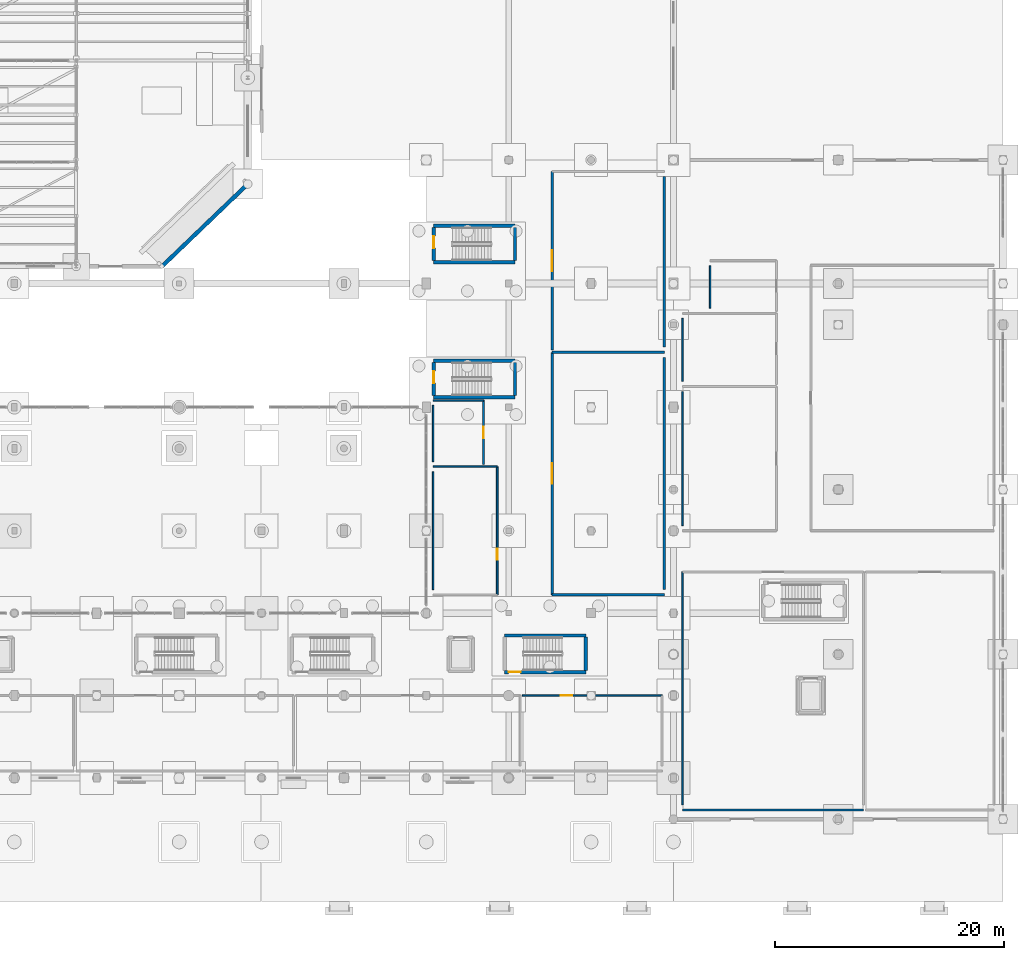
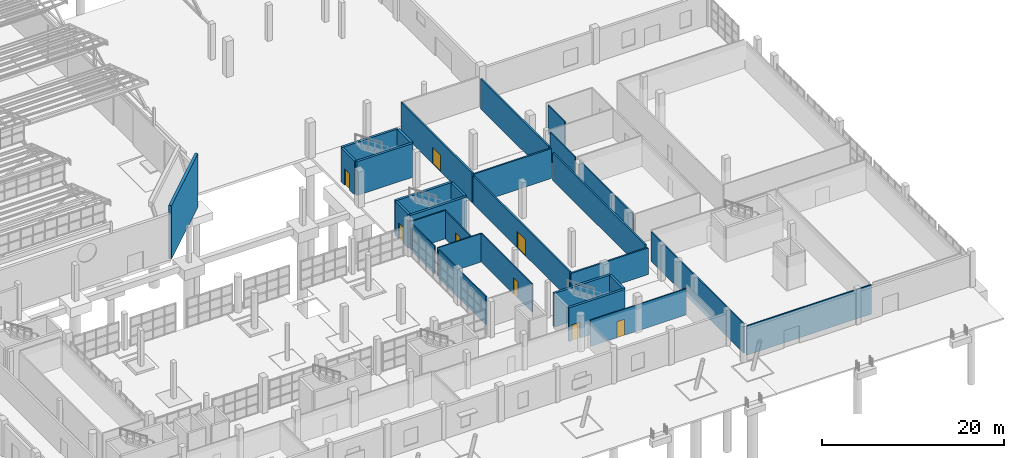
# One storey, part 257 of 285: 30 walls, 8 doors, 8 openings.
"""IFC4 building model written with IfcOpenShell, lengths in metres."""

from ifc_helpers import new_model, si_unit, direction, frame, frame_2d, origin, place, context, subcontext, project, spatial, rectangle, extrude, material, layer, layer_set, type_object, element, fill, save


model = new_model("IFC4")

# Units and contexts
model_context = context("Model", 3, precision=1e-05, world=origin(), true_north=direction((0.0, 1.0)))
body_context = subcontext(model_context, "Body", "Model", "MODEL_VIEW")
ifc_project = project(units=[si_unit("LENGTHUNIT", "METRE"), si_unit("AREAUNIT", "SQUARE_METRE"), si_unit("VOLUMEUNIT", "CUBIC_METRE"), si_unit("PLANEANGLEUNIT", "RADIAN"), si_unit("MASSUNIT", "GRAM", prefix="KILO")], contexts=[model_context])

# Site, building, storey
site_placement = place(None, origin())
site = spatial("IfcSite", under=ifc_project, at=site_placement, CompositionType="ELEMENT")
building_placement = place(site_placement, origin())
building = spatial("IfcBuilding", under=site, at=building_placement, Name="Solanera Park Tramway Depot", CompositionType="ELEMENT")
storey_placement = place(building_placement, origin())
storey = spatial("IfcBuildingStorey", under=building, at=storey_placement, Name="L00", CompositionType="ELEMENT", Elevation=0.0)

# Wall, opening, door
ifc_material_1 = material(Name="Concrete N32 (C32/40)", Category="concrete")
ifc_layer_1 = layer(ifc_material_1, 0.125)
ifc_layer_set_1 = layer_set([ifc_layer_1], Name="Concrete N32 (C32/40)")
wall_type_1 = type_object("IfcWallType", Name="Acoustic Partition 125", PredefinedType="PARTITIONING", material=ifc_layer_set_1)
wall_1_placement = place(storey_placement, frame((174.0, 18.0, 0.0), z_axis=(0.0, 0.0, 1.0), x_axis=(1.0, 0.0, 0.0)))
wall_1 = element("IfcWall", 1, at=wall_1_placement, inside=storey, type_object=wall_type_1, Name="Occupational Health and First Aid Suite Corridor Wall", PredefinedType="PARTITIONING", context=body_context, shape_type="SweptSolid", body=[
    extrude(rectangle(XDim=12.199951171875, YDim=0.125, at=frame_2d((6.10009765625, 0.0))), origin(), (0.0, 0.0, 1.0), 3.507080078125),
])
opening_1_placement = place(wall_1_placement, frame((3.368896484375, 0.0, 0.0)))
opening_1 = element("IfcOpeningElement", 2, at=opening_1_placement, cuts=wall_1, Name="Opening ID-O1R", PredefinedType="OPENING", context=body_context, shape_type="SweptSolid", body=[
    extrude(rectangle(XDim=0.969970703125, YDim=2.14990234375, at=frame_2d((0.48486328125, 1.074951171875))), frame((0.0, 0.072509765625, 0.0), z_axis=(0.0, -1.0, 0.0), x_axis=(1.0, 0.0, 0.0)), (0.0, 0.0, 1.0), 0.14501953125),
])
ifc_material_2 = material(Name="Fire-rated steel or solid-core hardwood door leaf", Category="steel")
door_type_1 = type_object("IfcDoorType", Name="Office Single Door R 970x2150", OperationType="SINGLE_SWING_RIGHT", PredefinedType="DOOR", material=ifc_material_2)
door_1_placement = place(opening_1_placement, origin())
door_1 = element("IfcDoor", 3, at=door_1_placement, inside=storey, type_object=door_type_1, Name="Occupational Health and First Aid Suite Door", OperationType="SINGLE_SWING_RIGHT", OverallHeight=2.14990234375, OverallWidth=0.969970703125, PredefinedType="DOOR", context=body_context, shape_type="SweptSolid", body=[
    extrude(rectangle(XDim=0.969970703125, YDim=2.14990234375, at=frame_2d((0.48486328125, 1.074951171875))), frame((0.0, 0.02490234375, 0.0), z_axis=(0.0, -1.0, 0.0), x_axis=(1.0, 0.0, 0.0)), (0.0, 0.0, 1.0), 0.050048828125),
])
fill(opening_1, door_1)

# Walls
ifc_material_3 = material(Name="Concrete N32 (C32/40)", Category="concrete")
ifc_layer_2 = layer(ifc_material_3, 0.14990234375)
ifc_layer_set_2 = layer_set([ifc_layer_2], Name="Concrete N32 (C32/40)")
wall_type_2 = type_object("IfcWallType", Name="Acoustic Partition 150", PredefinedType="PARTITIONING", material=ifc_layer_set_2)
wall_2_placement = place(storey_placement, frame((203.800048828125, 8.0, 0.0), z_axis=(0.0, 0.0, 1.0), x_axis=(-1.0, 0.0, 0.0)))
element("IfcWall", 4, at=wall_2_placement, inside=storey, type_object=wall_type_2, Name="Civic Parkland Reception and Ticketing Foyer Dividing Wall", PredefinedType="PARTITIONING", context=body_context, shape_type="SweptSolid", body=[
    extrude(rectangle(XDim=15.800048828125, YDim=0.14990234375, at=frame_2d((7.89990234375, 0.0))), origin(), (0.0, 0.0, 1.0), 3.92041015625),
])
wall_3_placement = place(storey_placement, frame((188.0, 28.800048828125, 0.0), z_axis=(0.0, 0.0, 1.0), x_axis=(0.0, -1.0, 0.0)))
element("IfcWall", 5, at=wall_3_placement, inside=storey, type_object=wall_type_2, Name="Civic Parkland Reception and Ticketing Foyer Dividing Wall", PredefinedType="PARTITIONING", context=body_context, shape_type="SweptSolid", body=[
    extrude(rectangle(XDim=20.35009765625, YDim=0.14990234375, at=frame_2d((10.175048828125, 0.0))), origin(), (0.0, 0.0, 1.0), 3.92041015625),
])
wall_4_placement = place(storey_placement, frame((188.0, 44.550048828125, 0.0), z_axis=(0.0, 0.0, 1.0), x_axis=(0.0, -1.0, 0.0)))
element("IfcWall", 6, at=wall_4_placement, inside=storey, type_object=wall_type_2, Name="Commercial Catering Kitchen and Scullery Dividing Wall", PredefinedType="PARTITIONING", context=body_context, shape_type="SweptSolid", body=[
    extrude(rectangle(XDim=11.699951171875, YDim=0.14990234375, at=frame_2d((5.85009765625, 0.0))), origin(), (0.0, 0.0, 1.0), 3.92041015625),
])

# Wall, opening, door
ifc_material_4 = material(Name="Concrete N40 (C40/50)", Category="concrete")
ifc_layer_3 = layer(ifc_material_4, 0.300048828125)
ifc_layer_set_3 = layer_set([ifc_layer_3], Name="Concrete N40 (C40/50)")
wall_type_3 = type_object("IfcWallType", Name="Core Shear Wall 300", PredefinedType="SHEAR", material=ifc_layer_set_3)
wall_5_placement = place(storey_placement, frame((172.449951171875, 20.050048828125, 0.0), z_axis=(0.0, 0.0, 1.0), x_axis=(1.0, 0.0, 0.0)))
wall_5 = element("IfcWall", 7, at=wall_5_placement, inside=storey, type_object=wall_type_3, Name="ST-04 L00 Shear Core Wall S", PredefinedType="SHEAR", context=body_context, shape_type="SweptSolid", body=[
    extrude(rectangle(XDim=7.10009765625, YDim=0.300048828125, at=frame_2d((3.550048828125, 0.0))), origin(), (0.0, 0.0, 1.0), 4.52490234375),
])
opening_2_placement = place(wall_5_placement, frame((0.35009765625, 0.0, 0.0)))
opening_2 = element("IfcOpeningElement", 8, at=opening_2_placement, cuts=wall_5, Name="Opening FD-S1L", PredefinedType="OPENING", context=body_context, shape_type="SweptSolid", body=[
    extrude(rectangle(XDim=1.050048828125, YDim=2.14990234375, at=frame_2d((0.52490234375, 1.074951171875))), frame((0.0, 0.16015625, 0.0), z_axis=(0.0, -1.0, 0.0), x_axis=(1.0, 0.0, 0.0)), (0.0, 0.0, 1.0), 0.320068359375),
])
ifc_material_5 = material(Name="Fire-rated steel or solid-core hardwood door leaf", Category="steel")
door_type_2 = type_object("IfcDoorType", Name="Stair Fire Door L 1050x2150", OperationType="SINGLE_SWING_LEFT", PredefinedType="DOOR", material=ifc_material_5)
door_2_placement = place(opening_2_placement, frame((1.050048828125, 0.0, 0.0), z_axis=(0.0, 0.0, 1.0), x_axis=(-1.0, 0.0, 0.0)))
door_2 = element("IfcDoor", 9, at=door_2_placement, inside=storey, type_object=door_type_2, Name="ST-04 L00 Stair Fire Door", OperationType="SINGLE_SWING_LEFT", OverallHeight=2.14990234375, OverallWidth=1.050048828125, PredefinedType="DOOR", context=body_context, shape_type="SweptSolid", body=[
    extrude(rectangle(XDim=1.050048828125, YDim=2.14990234375, at=frame_2d((0.52490234375, 1.074951171875))), frame((0.0, 0.02490234375, 0.0), z_axis=(0.0, -1.0, 0.0), x_axis=(1.0, 0.0, 0.0)), (0.0, 0.0, 1.0), 0.050048828125),
])
fill(opening_2, door_2)

# Walls
wall_6_placement = place(storey_placement, frame((179.550048828125, 23.25, 0.0), z_axis=(0.0, 0.0, 1.0), x_axis=(-1.0, 0.0, 0.0)))
element("IfcWall", 10, at=wall_6_placement, inside=storey, type_object=wall_type_3, Name="ST-04 L00 Shear Core Wall N", PredefinedType="SHEAR", context=body_context, shape_type="SweptSolid", body=[
    extrude(rectangle(XDim=7.10009765625, YDim=0.300048828125, at=frame_2d((3.550048828125, 0.0))), origin(), (0.0, 0.0, 1.0), 4.52490234375),
])
wall_7_placement = place(storey_placement, frame((179.550048828125, 20.199951171875, 0.0), z_axis=(0.0, 0.0, 1.0), x_axis=(0.0, 1.0, 0.0)))
element("IfcWall", 11, at=wall_7_placement, inside=storey, type_object=wall_type_3, Name="ST-04 L00 Shear Core Wall E", PredefinedType="SHEAR", context=body_context, shape_type="SweptSolid", body=[
    extrude(rectangle(XDim=2.900146484375, YDim=0.300048828125, at=frame_2d((1.4501953125, 0.0))), origin(), (0.0, 0.0, 1.0), 4.52490234375),
])
for number, where, z_axis, x_axis, name in (
    (12, (166.25, 44.050048828125, 0.0), (0.0, 0.0, 1.0), (1.0, 0.0, 0.0), "ST-05 L00 Shear Core Wall S"),
    (13, (173.35009765625, 47.25, 0.0), (0.0, 0.0, 1.0), (-1.0, 0.0, 0.0), "ST-05 L00 Shear Core Wall N"),
):
    element("IfcWall", number, at=place(storey_placement, frame(where, z_axis=z_axis, x_axis=x_axis)), inside=storey, type_object=wall_type_3, Name=name, PredefinedType="SHEAR", context=body_context, shape_type="SweptSolid", body=[
        extrude(rectangle(XDim=7.10009765625, YDim=0.300048828125, at=frame_2d((3.550048828125, 0.0))), origin(), (0.0, 0.0, 1.0), 4.52490234375),
    ])
wall_8_placement = place(storey_placement, frame((173.35009765625, 44.199951171875, 0.0), z_axis=(0.0, 0.0, 1.0), x_axis=(0.0, 1.0, 0.0)))
element("IfcWall", 14, at=wall_8_placement, inside=storey, type_object=wall_type_3, Name="ST-05 L00 Shear Core Wall E", PredefinedType="SHEAR", context=body_context, shape_type="SweptSolid", body=[
    extrude(rectangle(XDim=2.900146484375, YDim=0.300048828125, at=frame_2d((1.4501953125, 0.0))), origin(), (0.0, 0.0, 1.0), 4.52490234375),
])

# Wall, opening, door
wall_9_placement = place(storey_placement, frame((166.25, 47.10009765625, 0.0), z_axis=(0.0, 0.0, 1.0), x_axis=(0.0, -1.0, 0.0)))
wall_9 = element("IfcWall", 15, at=wall_9_placement, inside=storey, type_object=wall_type_3, Name="ST-05 L00 Shear Core Wall W", PredefinedType="SHEAR", context=body_context, shape_type="SweptSolid", body=[
    extrude(rectangle(XDim=2.900146484375, YDim=0.300048828125, at=frame_2d((1.4501953125, 0.0))), origin(), (0.0, 0.0, 1.0), 4.52490234375),
])
opening_3_placement = place(wall_9_placement, frame((0.75, 0.0, 0.0)))
opening_3 = element("IfcOpeningElement", 16, at=opening_3_placement, cuts=wall_9, Name="Opening FD-S1L", PredefinedType="OPENING", context=body_context, shape_type="SweptSolid", body=[
    extrude(rectangle(XDim=1.050048828125, YDim=2.14990234375, at=frame_2d((0.52490234375, 1.074951171875))), frame((0.0, 0.16015625, 0.0), z_axis=(0.0, -1.0, 0.0), x_axis=(1.0, 0.0, 0.0)), (0.0, 0.0, 1.0), 0.320068359375),
])
door_3_placement = place(opening_3_placement, frame((1.050048828125, 0.0, 0.0), z_axis=(0.0, 0.0, 1.0), x_axis=(-1.0, 0.0, 0.0)))
door_3 = element("IfcDoor", 17, at=door_3_placement, inside=storey, type_object=door_type_2, Name="ST-05 L00 Stair Fire Door", OperationType="SINGLE_SWING_LEFT", OverallHeight=2.14990234375, OverallWidth=1.050048828125, PredefinedType="DOOR", context=body_context, shape_type="SweptSolid", body=[
    extrude(rectangle(XDim=1.050048828125, YDim=2.14990234375, at=frame_2d((0.52490234375, 1.074951171875))), frame((0.0, 0.02490234375, 0.0), z_axis=(0.0, -1.0, 0.0), x_axis=(1.0, 0.0, 0.0)), (0.0, 0.0, 1.0), 0.050048828125),
])
fill(opening_3, door_3)

# Walls
for number, where, z_axis, x_axis, name in (
    (18, (166.25, 55.85009765625, 0.0), (0.0, 0.0, 1.0), (1.0, 0.0, 0.0), "ST-06 L00 Shear Core Wall S"),
    (19, (173.35009765625, 59.050048828125, 0.0), (0.0, 0.0, 1.0), (-1.0, 0.0, 0.0), "ST-06 L00 Shear Core Wall N"),
):
    element("IfcWall", number, at=place(storey_placement, frame(where, z_axis=z_axis, x_axis=x_axis)), inside=storey, type_object=wall_type_3, Name=name, PredefinedType="SHEAR", context=body_context, shape_type="SweptSolid", body=[
        extrude(rectangle(XDim=7.10009765625, YDim=0.300048828125, at=frame_2d((3.550048828125, 0.0))), origin(), (0.0, 0.0, 1.0), 4.52490234375),
    ])
wall_10_placement = place(storey_placement, frame((173.35009765625, 56.0, 0.0), z_axis=(0.0, 0.0, 1.0), x_axis=(0.0, 1.0, 0.0)))
element("IfcWall", 20, at=wall_10_placement, inside=storey, type_object=wall_type_3, Name="ST-06 L00 Shear Core Wall E", PredefinedType="SHEAR", context=body_context, shape_type="SweptSolid", body=[
    extrude(rectangle(XDim=2.89990234375, YDim=0.300048828125, at=frame_2d((1.449951171875, 0.0))), origin(), (0.0, 0.0, 1.0), 4.52490234375),
])

# Wall, opening, door
wall_11_placement = place(storey_placement, frame((166.25, 58.89990234375, 0.0), z_axis=(0.0, 0.0, 1.0), x_axis=(0.0, -1.0, 0.0)))
wall_11 = element("IfcWall", 21, at=wall_11_placement, inside=storey, type_object=wall_type_3, Name="ST-06 L00 Shear Core Wall W", PredefinedType="SHEAR", context=body_context, shape_type="SweptSolid", body=[
    extrude(rectangle(XDim=2.89990234375, YDim=0.300048828125, at=frame_2d((1.449951171875, 0.0))), origin(), (0.0, 0.0, 1.0), 4.52490234375),
])
opening_4_placement = place(wall_11_placement, frame((0.75, 0.0, 0.0)))
opening_4 = element("IfcOpeningElement", 22, at=opening_4_placement, cuts=wall_11, Name="Opening FD-S1L", PredefinedType="OPENING", context=body_context, shape_type="SweptSolid", body=[
    extrude(rectangle(XDim=1.050048828125, YDim=2.14990234375, at=frame_2d((0.52490234375, 1.074951171875))), frame((0.0, 0.16015625, 0.0), z_axis=(0.0, -1.0, 0.0), x_axis=(1.0, 0.0, 0.0)), (0.0, 0.0, 1.0), 0.320068359375),
])
door_4_placement = place(opening_4_placement, frame((1.050048828125, 0.0, 0.0), z_axis=(0.0, 0.0, 1.0), x_axis=(-1.0, 0.0, 0.0)))
door_4 = element("IfcDoor", 23, at=door_4_placement, inside=storey, type_object=door_type_2, Name="ST-06 L00 Stair Fire Door", OperationType="SINGLE_SWING_LEFT", OverallHeight=2.14990234375, OverallWidth=1.050048828125, PredefinedType="DOOR", context=body_context, shape_type="SweptSolid", body=[
    extrude(rectangle(XDim=1.050048828125, YDim=2.14990234375, at=frame_2d((0.52490234375, 1.074951171875))), frame((0.0, 0.02490234375, 0.0), z_axis=(0.0, -1.0, 0.0), x_axis=(1.0, 0.0, 0.0)), (0.0, 0.0, 1.0), 0.050048828125),
])
fill(opening_4, door_4)

# Walls
ifc_material_6 = material(Name="Concrete N32 (C32/40)", Category="concrete")
ifc_layer_4 = layer(ifc_material_6, 0.35009765625)
ifc_layer_set_4 = layer_set([ifc_layer_4], Name="Concrete N32 (C32/40)")
wall_type_4 = type_object("IfcWallType", Name="Ext Stucco Wall 350", PredefinedType="SOLIDWALL", material=ifc_layer_set_4)
wall_12_placement = place(storey_placement, frame((142.5, 55.5, 0.0), z_axis=(0.0, 0.0, 1.0), x_axis=(0.721389667345, 0.692529384104, 0.0)))
element("IfcWall", 24, at=wall_12_placement, inside=storey, type_object=wall_type_4, Name="L00 V1 Perimeter Wall V1-CSE", PredefinedType="SOLIDWALL", context=body_context, shape_type="SweptSolid", body=[
    extrude(rectangle(XDim=10.396484375, YDim=0.35009765625, at=frame_2d((5.1982421875, 0.0))), origin(), (0.0, 0.0, 1.0), 7.14990234375),
])
ifc_material_7 = material(Name="Concrete N32 (C32/40)", Category="concrete")
ifc_layer_5 = layer(ifc_material_7, 0.199951171875)
ifc_layer_set_5 = layer_set([ifc_layer_5], Name="Concrete N32 (C32/40)")
wall_type_5 = type_object("IfcWallType", Name="Fire Compartment Wall 200", PredefinedType="SOLIDWALL", material=ifc_layer_set_5)
wall_13_placement = place(storey_placement, frame((176.60009765625, 48.0, 0.0), z_axis=(0.0, 0.0, 1.0), x_axis=(1.0, 0.0, 0.0)))
element("IfcWall", 25, at=wall_13_placement, inside=storey, type_object=wall_type_5, Name="Chilled Water and Fire Pump Plant Room Dividing Wall", PredefinedType="SOLIDWALL", context=body_context, shape_type="SweptSolid", body=[
    extrude(rectangle(XDim=9.7998046875, YDim=0.199951171875, at=frame_2d((4.89990234375, 0.0))), origin(), (0.0, 0.0, 1.0), 4.0),
])
wall_14_placement = place(storey_placement, frame((186.39990234375, 26.800048828125, 0.0), z_axis=(0.0, 0.0, 1.0), x_axis=(-1.0, 0.0, 0.0)))
element("IfcWall", 26, at=wall_14_placement, inside=storey, type_object=wall_type_5, Name="Chilled Water and Fire Pump Plant Room Dividing Wall", PredefinedType="SOLIDWALL", context=body_context, shape_type="SweptSolid", body=[
    extrude(rectangle(XDim=9.7998046875, YDim=0.199951171875, at=frame_2d((4.89990234375, 0.0))), origin(), (0.0, 0.0, 1.0), 3.556884765625),
])
wall_15_placement = place(storey_placement, frame((186.39990234375, 27.25, 0.0), z_axis=(0.0, 0.0, 1.0), x_axis=(0.0, 1.0, 0.0)))
element("IfcWall", 27, at=wall_15_placement, inside=storey, type_object=wall_type_5, Name="Chilled Water and Fire Pump Plant Room Dividing Wall", PredefinedType="SOLIDWALL", context=body_context, shape_type="SweptSolid", body=[
    extrude(rectangle(XDim=20.300048828125, YDim=0.199951171875, at=frame_2d((10.14990234375, 0.0))), origin(), (0.0, 0.0, 1.0), 3.656982421875),
])

# Wall, opening, door
wall_16_placement = place(storey_placement, frame((176.60009765625, 48.0, 0.0), z_axis=(0.0, 0.0, 1.0), x_axis=(0.0, -1.0, 0.0)))
wall_16 = element("IfcWall", 28, at=wall_16_placement, inside=storey, type_object=wall_type_5, Name="Chilled Water and Fire Pump Plant Room Corridor Wall", PredefinedType="SOLIDWALL", context=body_context, shape_type="SweptSolid", body=[
    extrude(rectangle(XDim=21.199951171875, YDim=0.199951171875, at=frame_2d((10.60009765625, 0.0))), origin(), (0.0, 0.0, 1.0), 3.757080078125),
])
opening_5_placement = place(wall_16_placement, frame((9.699951171875, 0.0, 0.0)))
opening_5 = element("IfcOpeningElement", 29, at=opening_5_placement, cuts=wall_16, Name="Opening FD-P2D", PredefinedType="OPENING", context=body_context, shape_type="SweptSolid", body=[
    extrude(rectangle(XDim=1.800048828125, YDim=2.199951171875, at=frame_2d((0.89990234375, 1.10009765625))), frame((0.0, 0.10986328125, 0.0), z_axis=(0.0, -1.0, 0.0), x_axis=(1.0, 0.0, 0.0)), (0.0, 0.0, 1.0), 0.219970703125),
])
ifc_material_8 = material(Name="Fire-rated steel or solid-core hardwood door leaf", Category="steel")
door_type_3 = type_object("IfcDoorType", Name="Plant Double Fire Door 1800x2200", OperationType="DOUBLE_SWING_LEFT", PredefinedType="DOOR", material=ifc_material_8)
door_5_placement = place(opening_5_placement, origin())
door_5 = element("IfcDoor", 30, at=door_5_placement, inside=storey, type_object=door_type_3, Name="Chilled Water and Fire Pump Plant Room Door", OperationType="DOUBLE_SWING_LEFT", OverallHeight=2.199951171875, OverallWidth=1.800048828125, PredefinedType="DOOR", context=body_context, shape_type="SweptSolid", body=[
    extrude(rectangle(XDim=1.800048828125, YDim=2.199951171875, at=frame_2d((0.89990234375, 1.10009765625))), frame((0.0, 0.02490234375, 0.0), z_axis=(0.0, -1.0, 0.0), x_axis=(1.0, 0.0, 0.0)), (0.0, 0.0, 1.0), 0.050048828125),
])
fill(opening_5, door_5)

# Wall
wall_17_placement = place(storey_placement, frame((186.39990234375, 48.449951171875, 0.0), z_axis=(0.0, 0.0, 1.0), x_axis=(0.0, 1.0, 0.0)))
element("IfcWall", 31, at=wall_17_placement, inside=storey, type_object=wall_type_5, Name="Communications UPS and Main MDF Room Dividing Wall", PredefinedType="SOLIDWALL", context=body_context, shape_type="SweptSolid", body=[
    extrude(rectangle(XDim=14.900146484375, YDim=0.199951171875, at=frame_2d((7.4501953125, 0.0))), origin(), (0.0, 0.0, 1.0), 4.0),
])

# Wall, opening, door
wall_18_placement = place(storey_placement, frame((176.60009765625, 63.800048828125, 0.0), z_axis=(0.0, 0.0, 1.0), x_axis=(0.0, -1.0, 0.0)))
wall_18 = element("IfcWall", 32, at=wall_18_placement, inside=storey, type_object=wall_type_5, Name="Communications UPS and Main MDF Room Corridor Wall", PredefinedType="SOLIDWALL", context=body_context, shape_type="SweptSolid", body=[
    extrude(rectangle(XDim=15.60009765625, YDim=0.199951171875, at=frame_2d((7.800048828125, 0.0))), origin(), (0.0, 0.0, 1.0), 4.0),
])
opening_6_placement = place(wall_18_placement, frame((6.89990234375, 0.0, 0.0)))
opening_6 = element("IfcOpeningElement", 33, at=opening_6_placement, cuts=wall_18, Name="Opening FD-P2D", PredefinedType="OPENING", context=body_context, shape_type="SweptSolid", body=[
    extrude(rectangle(XDim=1.800048828125, YDim=2.199951171875, at=frame_2d((0.89990234375, 1.10009765625))), frame((0.0, 0.10986328125, 0.0), z_axis=(0.0, -1.0, 0.0), x_axis=(1.0, 0.0, 0.0)), (0.0, 0.0, 1.0), 0.219970703125),
])
door_6_placement = place(opening_6_placement, origin())
door_6 = element("IfcDoor", 34, at=door_6_placement, inside=storey, type_object=door_type_3, Name="Communications UPS and Main MDF Room Door", OperationType="DOUBLE_SWING_LEFT", OverallHeight=2.199951171875, OverallWidth=1.800048828125, PredefinedType="DOOR", context=body_context, shape_type="SweptSolid", body=[
    extrude(rectangle(XDim=1.800048828125, YDim=2.199951171875, at=frame_2d((0.89990234375, 1.10009765625))), frame((0.0, 0.02490234375, 0.0), z_axis=(0.0, -1.0, 0.0), x_axis=(1.0, 0.0, 0.0)), (0.0, 0.0, 1.0), 0.050048828125),
])
fill(opening_6, door_6)

# Walls
ifc_material_9 = material(Name="Concrete N32 (C32/40)", Category="concrete")
ifc_layer_6 = layer(ifc_material_9, 0.139892578125)
ifc_layer_set_6 = layer_set([ifc_layer_6], Name="Concrete N32 (C32/40)")
wall_type_6 = type_object("IfcWallType", Name="Wet Area Partition 140", PredefinedType="PARTITIONING", material=ifc_layer_set_6)
wall_19_placement = place(storey_placement, frame((166.199951171875, 38.0, 0.0), z_axis=(0.0, 0.0, 1.0), x_axis=(1.0, 0.0, 0.0)))
element("IfcWall", 35, at=wall_19_placement, inside=storey, type_object=wall_type_6, Name="Operations Ground Male and Female WC Dividing Wall", PredefinedType="PARTITIONING", context=body_context, shape_type="SweptSolid", body=[
    extrude(rectangle(XDim=5.60009765625, YDim=0.139892578125, at=frame_2d((2.800048828125, 0.0))), origin(), (0.0, 0.0, 1.0), 3.800048828125),
])
wall_20_placement = place(storey_placement, frame((166.199951171875, 37.550048828125, 0.0), z_axis=(0.0, 0.0, 1.0), x_axis=(0.0, -1.0, 0.0)))
element("IfcWall", 36, at=wall_20_placement, inside=storey, type_object=wall_type_6, Name="Operations Ground Male and Female WC Dividing Wall", PredefinedType="PARTITIONING", context=body_context, shape_type="SweptSolid", body=[
    extrude(rectangle(XDim=10.300048828125, YDim=0.139892578125, at=frame_2d((5.14990234375, 0.0))), origin(), (0.0, 0.0, 1.0), 3.800048828125),
])

# Wall, opening, door
wall_21_placement = place(storey_placement, frame((171.800048828125, 26.800048828125, 0.0), z_axis=(0.0, 0.0, 1.0), x_axis=(0.0, 1.0, 0.0)))
wall_21 = element("IfcWall", 37, at=wall_21_placement, inside=storey, type_object=wall_type_6, Name="Operations Ground Male and Female WC Corridor Wall", PredefinedType="PARTITIONING", context=body_context, shape_type="SweptSolid", body=[
    extrude(rectangle(XDim=11.199951171875, YDim=0.139892578125, at=frame_2d((5.60009765625, 0.0))), origin(), (0.0, 0.0, 1.0), 3.800048828125),
])
opening_7_placement = place(wall_21_placement, frame((3.06591796875, 0.0, 0.0)))
opening_7 = element("IfcOpeningElement", 38, at=opening_7_placement, cuts=wall_21, Name="Opening ID-W1L", PredefinedType="OPENING", context=body_context, shape_type="SweptSolid", body=[
    extrude(rectangle(XDim=0.97998046875, YDim=2.14990234375, at=frame_2d((0.489990234375, 1.074951171875))), frame((0.0, 0.080078125, 0.0), z_axis=(0.0, -1.0, 0.0), x_axis=(1.0, 0.0, 0.0)), (0.0, 0.0, 1.0), 0.159912109375),
])
ifc_material_10 = material(Name="Fire-rated steel or solid-core hardwood door leaf", Category="steel")
door_type_4 = type_object("IfcDoorType", Name="Accessible WC Door L 980x2150", OperationType="SINGLE_SWING_LEFT", PredefinedType="DOOR", material=ifc_material_10)
door_7_placement = place(opening_7_placement, origin())
door_7 = element("IfcDoor", 39, at=door_7_placement, inside=storey, type_object=door_type_4, Name="Operations Ground Male and Female WC Door", OperationType="SINGLE_SWING_LEFT", OverallHeight=2.14990234375, OverallWidth=0.97998046875, PredefinedType="DOOR", context=body_context, shape_type="SweptSolid", body=[
    extrude(rectangle(XDim=0.97998046875, YDim=2.14990234375, at=frame_2d((0.489990234375, 1.074951171875))), frame((0.0, 0.02490234375, 0.0), z_axis=(0.0, -1.0, 0.0), x_axis=(1.0, 0.0, 0.0)), (0.0, 0.0, 1.0), 0.050048828125),
])
fill(opening_7, door_7)

# Walls
wall_22_placement = place(storey_placement, frame((166.199951171875, 43.800048828125, 0.0), z_axis=(0.0, 0.0, 1.0), x_axis=(1.0, 0.0, 0.0)))
element("IfcWall", 40, at=wall_22_placement, inside=storey, type_object=wall_type_6, Name="Operations Ground Accessible WC L00 Dividing Wall", PredefinedType="PARTITIONING", context=body_context, shape_type="SweptSolid", body=[
    extrude(rectangle(XDim=4.400146484375, YDim=0.139892578125, at=frame_2d((2.2001953125, 0.0))), origin(), (0.0, 0.0, 1.0), 3.800048828125),
])
wall_23_placement = place(storey_placement, frame((166.199951171875, 43.35009765625, 0.0), z_axis=(0.0, 0.0, 1.0), x_axis=(0.0, -1.0, 0.0)))
element("IfcWall", 41, at=wall_23_placement, inside=storey, type_object=wall_type_6, Name="Operations Ground Accessible WC L00 Dividing Wall", PredefinedType="PARTITIONING", context=body_context, shape_type="SweptSolid", body=[
    extrude(rectangle(XDim=4.900146484375, YDim=0.139892578125, at=frame_2d((2.4501953125, 0.0))), origin(), (0.0, 0.0, 1.0), 3.70703125),
])

# Wall, opening, door
wall_24_placement = place(storey_placement, frame((170.60009765625, 38.199951171875, 0.0), z_axis=(0.0, 0.0, 1.0), x_axis=(0.0, 1.0, 0.0)))
wall_24 = element("IfcWall", 42, at=wall_24_placement, inside=storey, type_object=wall_type_6, Name="Operations Ground Accessible WC L00 Corridor Wall", PredefinedType="PARTITIONING", context=body_context, shape_type="SweptSolid", body=[
    extrude(rectangle(XDim=5.60009765625, YDim=0.139892578125, at=frame_2d((2.800048828125, 0.0))), origin(), (0.0, 0.0, 1.0), 3.70703125),
])
opening_8_placement = place(wall_24_placement, frame((2.304931640625, 0.0, 0.0)))
opening_8 = element("IfcOpeningElement", 43, at=opening_8_placement, cuts=wall_24, Name="Opening ID-W1R", PredefinedType="OPENING", context=body_context, shape_type="SweptSolid", body=[
    extrude(rectangle(XDim=0.989990234375, YDim=2.14990234375, at=frame_2d((0.4951171875, 1.074951171875))), frame((0.0, 0.080078125, 0.0), z_axis=(0.0, -1.0, 0.0), x_axis=(1.0, 0.0, 0.0)), (0.0, 0.0, 1.0), 0.159912109375),
])
ifc_material_11 = material(Name="Fire-rated steel or solid-core hardwood door leaf", Category="steel")
door_type_5 = type_object("IfcDoorType", Name="Accessible WC Door R 990x2150", OperationType="SINGLE_SWING_RIGHT", PredefinedType="DOOR", material=ifc_material_11)
door_8_placement = place(opening_8_placement, origin())
door_8 = element("IfcDoor", 44, at=door_8_placement, inside=storey, type_object=door_type_5, Name="Operations Ground Accessible WC L00 Door", OperationType="SINGLE_SWING_RIGHT", OverallHeight=2.14990234375, OverallWidth=0.989990234375, PredefinedType="DOOR", context=body_context, shape_type="SweptSolid", body=[
    extrude(rectangle(XDim=0.989990234375, YDim=2.14990234375, at=frame_2d((0.4951171875, 1.074951171875))), frame((0.0, 0.02490234375, 0.0), z_axis=(0.0, -1.0, 0.0), x_axis=(1.0, 0.0, 0.0)), (0.0, 0.0, 1.0), 0.050048828125),
])
fill(opening_8, door_8)

# Walls
wall_25_placement = place(storey_placement, frame((188.0, 50.949951171875, 0.0), z_axis=(0.0, 0.0, 1.0), x_axis=(0.0, -1.0, 0.0)))
element("IfcWall", 45, at=wall_25_placement, inside=storey, type_object=wall_type_6, Name="Public Foyer Male and Female WC L00 Dividing Wall", PredefinedType="PARTITIONING", context=body_context, shape_type="SweptSolid", body=[
    extrude(rectangle(XDim=5.5, YDim=0.139892578125, at=frame_2d((2.75, 0.0))), origin(), (0.0, 0.0, 1.0), 3.800048828125),
])
wall_26_placement = place(storey_placement, frame((190.39990234375, 55.550048828125, 0.0), z_axis=(0.0, 0.0, 1.0), x_axis=(0.0, -1.0, 0.0)))
element("IfcWall", 46, at=wall_26_placement, inside=storey, type_object=wall_type_6, Name="Park Foyer Accessible WC L00 Dividing Wall", PredefinedType="PARTITIONING", context=body_context, shape_type="SweptSolid", body=[
    extrude(rectangle(XDim=3.699951171875, YDim=0.139892578125, at=frame_2d((1.85009765625, 0.0))), origin(), (0.0, 0.0, 1.0), 3.800048828125),
])

save(model, "model.ifc")
